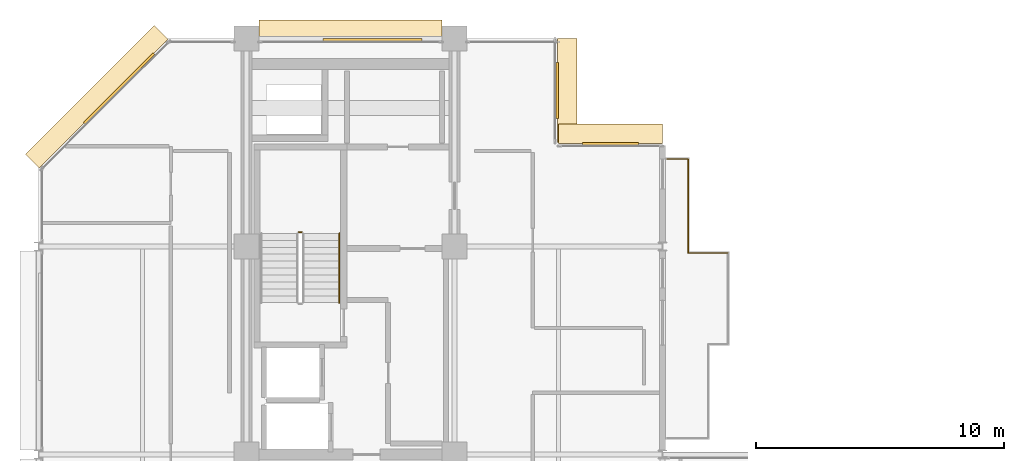
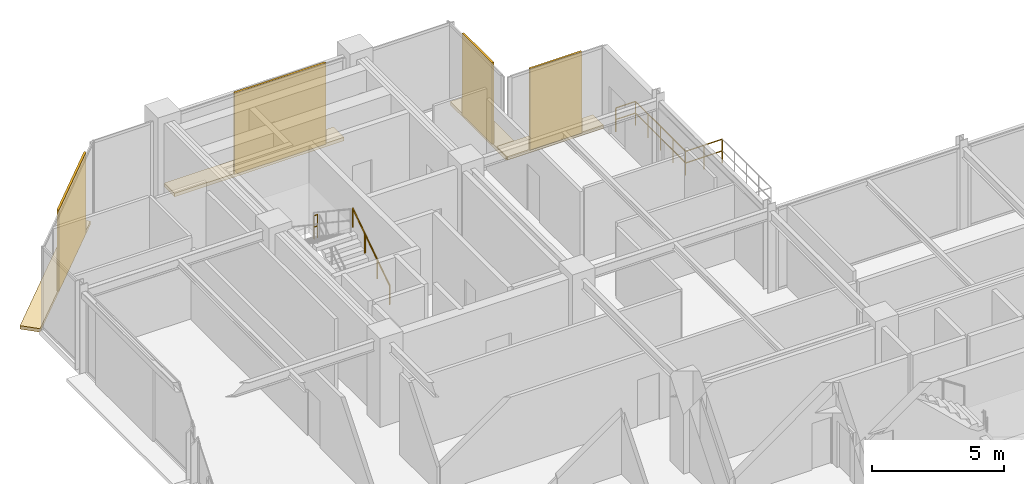
# One storey, part 26 of 26: 8 coverings, 5 railings.
"""IFC4 building model written with IfcOpenShell, lengths in metres."""

import ifcopenshell
import ifcopenshell.guid

model = None  # the IFC model being written
_history = None  # IfcOwnerHistory: only IFC2X3 demands one
_inside = {}  # id of a spatial element -> (the spatial element, [elements in it])
_under = {}  # id of a project, library or spatial element -> (it, [spatial elements below it])
_declared = {}  # id of a project -> (the project, [libraries it declares])
_typed = {}  # id of a type object -> (the type object, [elements of that type])
_made_of = {}  # id of a material, layer set ... -> (it, [elements and type objects made of it])


def new_model(schema):
    """Start an empty IFC model of exactly this schema.

    Asked for "IFC4X3", IfcOpenShell would pick the latest addendum, in which some entities
    have other attributes; the version numbers below select the first issue.
    IFC2X3 requires an IfcOwnerHistory on every rooted entity: one is made here for all.
    """
    global model, _history
    if schema == "IFC4X3":
        model = ifcopenshell.file(schema_version=(4, 3, 0, 0))
    else:
        model = ifcopenshell.file(schema=schema)
    _inside.clear()
    _under.clear()
    _declared.clear()
    _typed.clear()
    _made_of.clear()
    _history = None
    if model.schema == "IFC2X3":
        org = make("IfcOrganization", Name="unknown")
        user = make(
            "IfcPersonAndOrganization",
            ThePerson=make("IfcPerson", FamilyName="unknown"),
            TheOrganization=org,
        )
        app = make(
            "IfcApplication",
            ApplicationDeveloper=org,
            Version="unknown",
            ApplicationFullName="unknown",
            ApplicationIdentifier="unknown",
        )
        _history = make(
            "IfcOwnerHistory",
            OwningUser=user,
            OwningApplication=app,
            ChangeAction="ADDED",
            CreationDate=0,
        )
    return model


def make(cls, **values):
    """One entity of the class cls with the attributes given. An attribute that is None is left unset."""
    return model.create_entity(
        cls, **{name: value for name, value in values.items() if value is not None}
    )


def rooted(cls, **values):
    """An entity with a GlobalId (a new one), such as an element, a storey or a relation."""
    return make(cls, GlobalId=ifcopenshell.guid.new(), OwnerHistory=_history, **values)


def si_unit(unit_type, name, prefix=None):
    """IfcSIUnit, for example si_unit("LENGTHUNIT", "METRE", prefix="MILLI")."""
    return make("IfcSIUnit", UnitType=unit_type, Prefix=prefix, Name=name)


def assignment(units):
    """IfcUnitAssignment: the units of a project."""
    return None if units is None else make("IfcUnitAssignment", Units=units)


def point(xyz):
    """IfcCartesianPoint."""
    return None if xyz is None else make("IfcCartesianPoint", Coordinates=xyz)


def direction(xyz):
    """IfcDirection."""
    return None if xyz is None else make("IfcDirection", DirectionRatios=xyz)


def frame(location, z_axis=None, x_axis=None):
    """IfcAxis2Placement3D, a coordinate frame: its origin and axes. An axis left out is left unset."""
    return make(
        "IfcAxis2Placement3D",
        Location=point(location),
        Axis=direction(z_axis),
        RefDirection=direction(x_axis),
    )


def frame_2d(location, x_axis=None):
    """IfcAxis2Placement2D, a coordinate frame in the plane: its origin and x axis."""
    return make(
        "IfcAxis2Placement2D", Location=point(location), RefDirection=direction(x_axis)
    )


def origin():
    """The frame at (0, 0, 0) with its axes left unset."""
    return frame((0.0, 0.0, 0.0))


def origin_2d():
    """The frame at (0, 0) in the plane with its x axis left unset."""
    return frame_2d((0.0, 0.0))


def place(relative_to, where):
    """IfcLocalPlacement: puts the frame where relative to a parent placement (None: the world)."""
    return make(
        "IfcLocalPlacement", PlacementRelTo=relative_to, RelativePlacement=where
    )


def context(
    kind, dimensions, precision=None, world=None, true_north=None, identifier=None
):
    """IfcGeometricRepresentationContext, for example the 3D "Model" context."""
    return make(
        "IfcGeometricRepresentationContext",
        ContextIdentifier=identifier,
        ContextType=kind,
        CoordinateSpaceDimension=dimensions,
        Precision=precision,
        WorldCoordinateSystem=world,
        TrueNorth=true_north,
    )


def subcontext(parent, identifier, kind, view, scale=None):
    """IfcGeometricRepresentationSubContext, for example "Body" below "Model"."""
    return make(
        "IfcGeometricRepresentationSubContext",
        ContextIdentifier=identifier,
        ContextType=kind,
        ParentContext=parent,
        TargetScale=scale,
        TargetView=view,
    )


def project(units=None, contexts=None):
    """IfcProject with its units and contexts."""
    return rooted(
        "IfcProject",
        Name="project",
        RepresentationContexts=contexts,
        UnitsInContext=assignment(units),
    )


def spatial(cls, under=None, at=None, **own):
    """A site, building, storey or space (cls), placed at a placement, below another one or the project."""
    s = rooted(cls, ObjectPlacement=at, **own)
    if under is not None:
        _under.setdefault(under.id(), (under, []))[1].append(s)
    return s


def polyline(points):
    """IfcPolyline through the points."""
    return make("IfcPolyline", Points=[point(p) for p in points])


def profile(cls, at=None, kind="AREA", **sizes):
    """A parametric profile (cls). Its sizes go by their IFC names, for example OverallWidth=200.0."""
    return make(cls, ProfileType=kind, Position=at, **sizes)


def rectangle(**sizes):
    """IfcRectangleProfileDef."""
    return profile("IfcRectangleProfileDef", **sizes)


def circle(**sizes):
    """IfcCircleProfileDef."""
    return profile("IfcCircleProfileDef", **sizes)


def outline(outer, holes=None, kind="AREA"):
    """IfcArbitraryClosedProfileDef: a profile drawn as a closed curve; with holes, ...WithVoids."""
    if holes is None:
        return make("IfcArbitraryClosedProfileDef", ProfileType=kind, OuterCurve=outer)
    return make(
        "IfcArbitraryProfileDefWithVoids",
        ProfileType=kind,
        OuterCurve=outer,
        InnerCurves=holes,
    )


def extrude(swept, where, along, depth):
    """IfcExtrudedAreaSolid: the profile swept, set in the frame where, extruded along a direction by depth."""
    return make(
        "IfcExtrudedAreaSolid",
        SweptArea=swept,
        Position=where,
        ExtrudedDirection=direction(along),
        Depth=depth,
    )


def shape(context_of_items, identifier, shape_type, items):
    """IfcShapeRepresentation: the items that make up one representation, for example the "Body"."""
    return make(
        "IfcShapeRepresentation",
        ContextOfItems=context_of_items,
        RepresentationIdentifier=identifier,
        RepresentationType=shape_type,
        Items=items,
    )


def material(Name=None, Category=None):
    """IfcMaterial."""
    return make("IfcMaterial", Name=Name, Category=Category)


def layer(
    of_material, thickness, ventilated=None, Name=None, Category=None, Priority=None
):
    """IfcMaterialLayer: one layer of a wall or slab, of a material (None: an air gap)."""
    return make(
        "IfcMaterialLayer",
        Material=of_material,
        LayerThickness=thickness,
        IsVentilated=ventilated,
        Name=Name,
        Category=Category,
        Priority=Priority,
    )


def layer_set(layers, Name=None):
    """IfcMaterialLayerSet."""
    return make("IfcMaterialLayerSet", MaterialLayers=layers, LayerSetName=Name)


def made_of(thing, what):
    """Note that an element or type object is made of a material, layer set ...; save() writes the relation."""
    if what is not None:
        _made_of.setdefault(what.id(), (what, []))[1].append(thing)
    return thing


def type_object(cls, material=None, **own):
    """A type object (cls), such as IfcWallType, which elements share."""
    return made_of(rooted(cls, **own), material)


def element(
    cls,
    number,
    at=None,
    inside=None,
    cuts=None,
    type_object=None,
    material=None,
    context=None,
    identifier="Body",
    shape_type=None,
    held_by="IfcProductDefinitionShape",
    body=None,
    shapes=None,
    **own,
):
    """One element of the class cls, such as IfcWall. Its Tag is "e" and its number.

    at: its placement. inside: the storey or other place that contains it. cuts: it is an
    opening in that element (IfcRelVoidsElement). A single representation is given by context,
    identifier, shape_type and body (its items); several are given by shapes. held_by: the class
    of the entity that holds the representations. save() writes the other relations.
    """
    e = rooted(cls, Tag="e%d" % number, ObjectPlacement=at, **own)
    if body is not None:
        shapes = [shape(context, identifier, shape_type, body)]
    if shapes is not None:
        e.Representation = make(held_by, Representations=shapes)
    if inside is not None:
        _inside.setdefault(inside.id(), (inside, []))[1].append(e)
    if cuts is not None:
        rooted(
            "IfcRelVoidsElement", RelatingBuildingElement=cuts, RelatedOpeningElement=e
        )
    if type_object is not None:
        _typed.setdefault(type_object.id(), (type_object, []))[1].append(e)
    return made_of(e, material)


def aggregate(whole, parts):
    """IfcRelAggregates: a whole, such as a stair, and the parts it consists of."""
    return rooted("IfcRelAggregates", RelatingObject=whole, RelatedObjects=parts)


def save(model, path):
    """Write the relations noted so far, then the file.

    IfcRelAggregates (storeys below a building ...), IfcRelContainedInSpatialStructure (elements
    in a storey), IfcRelDefinesByType, IfcRelAssociatesMaterial and IfcRelDeclares: one each for
    every whole, place, type object, material and project.
    """
    for whole, parts in _under.values():
        aggregate(whole, parts)
    for where, things in _inside.values():
        rooted(
            "IfcRelContainedInSpatialStructure",
            RelatedElements=things,
            RelatingStructure=where,
        )
    for kind, things in _typed.values():
        rooted("IfcRelDefinesByType", RelatedObjects=things, RelatingType=kind)
    for what, things in _made_of.values():
        rooted("IfcRelAssociatesMaterial", RelatedObjects=things, RelatingMaterial=what)
    for by, libraries in _declared.values():
        rooted("IfcRelDeclares", RelatingContext=by, RelatedDefinitions=libraries)
    model.write(path)


model = new_model("IFC4")

# Units and contexts
model_context = context("Model", 3, precision=1e-05, world=origin(), true_north=direction((0.0, 1.0)))
body_context = subcontext(model_context, "Body", "Model", "MODEL_VIEW")
ifc_project = project(units=[si_unit("LENGTHUNIT", "METRE"), si_unit("AREAUNIT", "SQUARE_METRE"), si_unit("VOLUMEUNIT", "CUBIC_METRE"), si_unit("PLANEANGLEUNIT", "RADIAN"), si_unit("MASSUNIT", "GRAM", prefix="KILO")], contexts=[model_context])

# Site, building, storey
site_placement = place(None, origin())
site = spatial("IfcSite", under=ifc_project, at=site_placement, CompositionType="ELEMENT")
building_placement = place(site_placement, origin())
building = spatial("IfcBuilding", under=site, at=building_placement, Name="Nerrivon Quay Data Exchange", CompositionType="ELEMENT")
storey_placement = place(building_placement, frame((0.0, 0.0, 241.10009765625)))
storey = spatial("IfcBuildingStorey", under=building, at=storey_placement, Name="L57", CompositionType="ELEMENT", Elevation=241.10009765625)

# Coverings
ifc_material_1 = material(Name="Architectural terracotta ceramic", Category="masonry")
ifc_layer_1 = layer(ifc_material_1, 0.159912109375)
ifc_layer_set_1 = layer_set([ifc_layer_1], Name="Architectural terracotta ceramic")
covering_type_1 = type_object("IfcCoveringType", Name="COV-BLD-TERR", PredefinedType="CLADDING", material=ifc_layer_set_1)
covering_1_placement = place(storey_placement, frame((0.0, 0.0, -0.16015625)))
element("IfcCovering", 1, at=covering_1_placement, inside=storey, type_object=covering_type_1, Name="L57 Horizontal Terracotta SOLAR SCREEN Blade", PredefinedType="CLADDING", context=body_context, shape_type="SweptSolid", body=[
    extrude(outline(polyline([(0.0283203125, 36.771728515625), (5.228271484375, 41.9716796875), (4.669677734375, 42.5302734375), (-0.5302734375, 37.330322265625), (0.0283203125, 36.771728515625)])), origin(), (0.0, 0.0, 1.0), 0.16015625),
])
covering_2_placement = place(storey_placement, frame((0.0, 0.0, -0.16015625)))
element("IfcCovering", 2, at=covering_2_placement, inside=storey, type_object=covering_type_1, Name="L57 Horizontal Terracotta SOLAR SCREEN Blade", PredefinedType="CLADDING", context=body_context, shape_type="SweptSolid", body=[
    extrude(outline(polyline([(8.89990234375, 41.9599609375), (16.300048828125, 41.9599609375), (16.300048828125, 42.75), (8.89990234375, 42.75), (8.89990234375, 41.9599609375)])), origin(), (0.0, 0.0, 1.0), 0.16015625),
])
covering_3_placement = place(storey_placement, frame((0.0, 0.0, -0.16015625)))
element("IfcCovering", 3, at=covering_3_placement, inside=storey, type_object=covering_type_1, Name="L57 Horizontal Terracotta SOLAR SCREEN Blade", PredefinedType="CLADDING", context=body_context, shape_type="SweptSolid", body=[
    extrude(outline(polyline([(20.9599609375, 42.0), (20.9599609375, 37.800048828125), (21.75, 37.800048828125), (21.75, 42.0), (20.9599609375, 42.0)])), origin(), (0.0, 0.0, 1.0), 0.16015625),
])
covering_4_placement = place(storey_placement, frame((0.0, 0.0, -0.16015625)))
element("IfcCovering", 4, at=covering_4_placement, inside=storey, type_object=covering_type_1, Name="L57 Horizontal Terracotta SOLAR SCREEN Blade", PredefinedType="CLADDING", context=body_context, shape_type="SweptSolid", body=[
    extrude(outline(polyline([(21.0, 37.760009765625), (25.199951171875, 37.760009765625), (25.199951171875, 38.550048828125), (21.0, 38.550048828125), (21.0, 37.760009765625)])), origin(), (0.0, 0.0, 1.0), 0.16015625),
])
ifc_layer_2 = layer(ifc_material_1, 0.090087890625)
ifc_layer_set_2 = layer_set([ifc_layer_2], Name="Architectural terracotta ceramic")
covering_type_2 = type_object("IfcCoveringType", Name="COV-SCR-TERR", PredefinedType="CLADDING", material=ifc_layer_set_2)
covering_5_placement = place(storey_placement, frame((3.255859375, 39.9921875, 0.0), z_axis=(0.0, 0.0, 1.0), x_axis=(0.707106781187, 0.707106781187, 0.0)))
element("IfcCovering", 5, at=covering_5_placement, inside=storey, type_object=covering_type_2, Name="L57 Perforated Terracotta SOLAR SCREEN Cassette", PredefinedType="CLADDING", context=body_context, shape_type="SweptSolid", body=[
    extrude(rectangle(XDim=3.970947265625, YDim=0.090087890625, at=origin_2d()), origin(), (0.0, 0.0, 1.0), 3.75),
])
covering_6_placement = place(storey_placement, frame((13.488037109375, 41.955078125, 0.0), z_axis=(0.0, 0.0, 1.0), x_axis=(1.0, 0.0, 0.0)))
element("IfcCovering", 6, at=covering_6_placement, inside=storey, type_object=covering_type_2, Name="L57 Perforated Terracotta SOLAR SCREEN Cassette", PredefinedType="CLADDING", context=body_context, shape_type="SweptSolid", body=[
    extrude(rectangle(XDim=3.99609375, YDim=0.090087890625, at=origin_2d()), origin(), (0.0, 0.0, 1.0), 3.75),
])
for number, where, z_axis, x_axis, name in (
    (7, (20.955078125, 39.89990234375, 0.0), (0.0, 0.0, 1.0), (0.0, -1.0, 0.0), "L57 Perforated Terracotta SOLAR SCREEN Cassette"),
    (8, (23.10009765625, 37.7548828125, 0.0), (0.0, 0.0, 1.0), (1.0, 0.0, 0.0), "L57 Perforated Terracotta SOLAR SCREEN Cassette"),
):
    element("IfcCovering", number, at=place(storey_placement, frame(where, z_axis=z_axis, x_axis=x_axis)), inside=storey, type_object=covering_type_2, Name=name, PredefinedType="CLADDING", context=body_context, shape_type="SweptSolid", body=[
        extrude(rectangle(XDim=2.26806640625, YDim=0.090087890625, at=origin_2d()), origin(), (0.0, 0.0, 1.0), 3.75),
    ])

# Railings
ifc_material_2 = material(Name="Steel Grade C350L0 (350 MPa)", Category="steel")
railing_type_1 = type_object("IfcRailingType", Name="RAIL-GUARD-GR2", PredefinedType="BALUSTRADE", material=ifc_material_2)
railing_1_placement = place(storey_placement, frame((25.3798828125, 37.139892578125, 0.0)))
element("IfcRailing", 9, at=railing_1_placement, inside=storey, type_object=railing_type_1, Name="L57 Verandah Balcony Guard 1.3 1", PredefinedType="BALUSTRADE", context=body_context, shape_type="SweptSolid", body=[
    extrude(circle(Radius=0.02392578125, at=origin_2d()), frame((0.0, 0.0, 1.09619140625), z_axis=(1.0, 0.0, 0.0), x_axis=(0.0, 1.0, 0.0)), (0.0, 0.0, 1.0), 0.860107421875),
    extrude(circle(Radius=0.02392578125, at=origin_2d()), frame((0.0, 0.0, 0.56005859375), z_axis=(1.0, 0.0, 0.0), x_axis=(0.0, 1.0, 0.0)), (0.0, 0.0, 1.0), 0.860107421875),
    extrude(circle(Radius=0.02099609375, at=origin_2d()), origin(), (0.0, 0.0, 1.0), 1.072021484375),
    extrude(circle(Radius=0.02099609375, at=origin_2d()), frame((0.860107421875, 0.0, 0.0)), (0.0, 0.0, 1.0), 1.072021484375),
])
railing_2_placement = place(storey_placement, frame((26.239990234375, 37.139892578125, 0.0)))
element("IfcRailing", 10, at=railing_2_placement, inside=storey, type_object=railing_type_1, Name="L57 Verandah Balcony Guard 1.4 1", PredefinedType="BALUSTRADE", context=body_context, shape_type="SweptSolid", body=[
    extrude(circle(Radius=0.02392578125, at=origin_2d()), frame((0.0, 0.0, 1.09619140625), z_axis=(0.0, -1.0, 0.0), x_axis=(1.0, 0.0, 0.0)), (0.0, 0.0, 1.0), 3.7998046875),
    extrude(circle(Radius=0.02392578125, at=origin_2d()), frame((0.0, 0.0, 0.56005859375), z_axis=(0.0, -1.0, 0.0), x_axis=(1.0, 0.0, 0.0)), (0.0, 0.0, 1.0), 3.7998046875),
    extrude(circle(Radius=0.02099609375, at=origin_2d()), origin(), (0.0, 0.0, 1.0), 1.072021484375),
    extrude(circle(Radius=0.02099609375, at=origin_2d()), frame((0.0, -0.949951171875, 0.0)), (0.0, 0.0, 1.0), 1.072021484375),
    extrude(circle(Radius=0.02099609375, at=origin_2d()), frame((0.0, -1.89990234375, 0.0)), (0.0, 0.0, 1.0), 1.072021484375),
    extrude(circle(Radius=0.02099609375, at=origin_2d()), frame((0.0, -2.849853515625, 0.0)), (0.0, 0.0, 1.0), 1.072021484375),
    extrude(circle(Radius=0.02099609375, at=origin_2d()), frame((0.0, -3.7998046875, 0.0)), (0.0, 0.0, 1.0), 1.072021484375),
])
railing_3_placement = place(storey_placement, frame((26.239990234375, 33.340087890625, 0.0)))
element("IfcRailing", 11, at=railing_3_placement, inside=storey, type_object=railing_type_1, Name="L57 Verandah Balcony Guard 1.5 1", PredefinedType="BALUSTRADE", context=body_context, shape_type="SweptSolid", body=[
    extrude(circle(Radius=0.02392578125, at=origin_2d()), frame((0.0, 0.0, 1.09619140625), z_axis=(1.0, 0.0, 0.0), x_axis=(0.0, 1.0, 0.0)), (0.0, 0.0, 1.0), 1.60009765625),
    extrude(circle(Radius=0.02392578125, at=origin_2d()), frame((0.0, 0.0, 0.56005859375), z_axis=(1.0, 0.0, 0.0), x_axis=(0.0, 1.0, 0.0)), (0.0, 0.0, 1.0), 1.60009765625),
    extrude(circle(Radius=0.02099609375, at=origin_2d()), origin(), (0.0, 0.0, 1.0), 1.072021484375),
    extrude(circle(Radius=0.02099609375, at=origin_2d()), frame((0.800048828125, 0.0, 0.0)), (0.0, 0.0, 1.0), 1.072021484375),
    extrude(circle(Radius=0.02099609375, at=origin_2d()), frame((1.60009765625, 0.0, 0.0)), (0.0, 0.0, 1.0), 1.072021484375),
])
railing_type_2 = type_object("IfcRailingType", Name="RAIL-HAND-HR1", PredefinedType="HANDRAIL", material=ifc_material_2)
railing_4_placement = place(storey_placement, frame((12.14990234375, 31.330078125, 0.186279296875)))
element("IfcRailing", 12, at=railing_4_placement, inside=storey, type_object=railing_type_2, Name="L57 ST01 stair handrail 1", PredefinedType="HANDRAIL", context=body_context, shape_type="SweptSolid", body=[
    extrude(circle(Radius=0.02392578125, at=origin_2d()), frame((0.0, 0.0, 0.8759765625), z_axis=(0.0, 0.832463268671, 0.554080234545), x_axis=(-1.0, 0.0, 0.0)), (0.0, 0.0, 1.0), 3.36328125),
    extrude(circle(Radius=0.02099609375, at=origin_2d()), origin(), (0.0, 0.0, 1.0), 0.851806640625),
    extrude(circle(Radius=0.02099609375, at=origin_2d()), frame((0.0, 0.933349609375, 0.62109375)), (0.0, 0.0, 1.0), 0.851806640625),
    extrude(circle(Radius=0.02099609375, at=origin_2d()), frame((0.0, 1.866455078125, 1.242431640625)), (0.0, 0.0, 1.0), 0.851806640625),
    extrude(circle(Radius=0.02099609375, at=origin_2d()), frame((0.0, 2.7998046875, 1.863525390625)), (0.0, 0.0, 1.0), 0.851806640625),
])
railing_type_3 = type_object("IfcRailingType", Name="RAIL-STAIR-GR1", PredefinedType="BALUSTRADE", material=ifc_material_2)
railing_5_placement = place(storey_placement, frame((10.64990234375, 34.179931640625, 2.0498046875)))
element("IfcRailing", 13, at=railing_5_placement, inside=storey, type_object=railing_type_3, Name="L57 ST01 stair guard 2", PredefinedType="BALUSTRADE", context=body_context, shape_type="SweptSolid", body=[
    extrude(circle(Radius=0.02392578125, at=origin_2d()), frame((0.0, 0.0, 1.076171875), z_axis=(-1.0, 0.0, 0.0), x_axis=(0.0, -1.0, 0.0)), (0.0, 0.0, 1.0), 0.14990234375),
    extrude(circle(Radius=0.02392578125, at=origin_2d()), frame((0.0, 0.0, 0.550048828125), z_axis=(-1.0, 0.0, 0.0), x_axis=(0.0, -1.0, 0.0)), (0.0, 0.0, 1.0), 0.14990234375),
    extrude(circle(Radius=0.02099609375, at=origin_2d()), origin(), (0.0, 0.0, 1.0), 1.052001953125),
    extrude(circle(Radius=0.02099609375, at=origin_2d()), frame((-0.14990234375, 0.0, 0.0)), (0.0, 0.0, 1.0), 1.052001953125),
])

save(model, "model.ifc")
